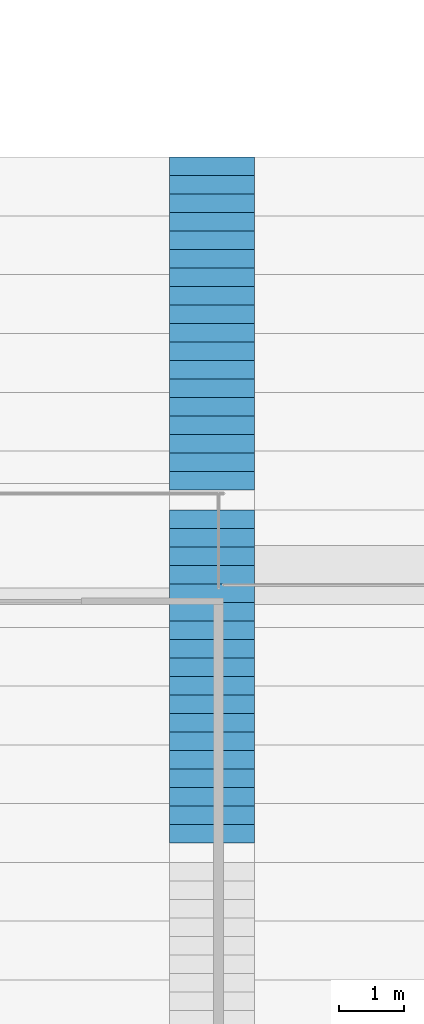
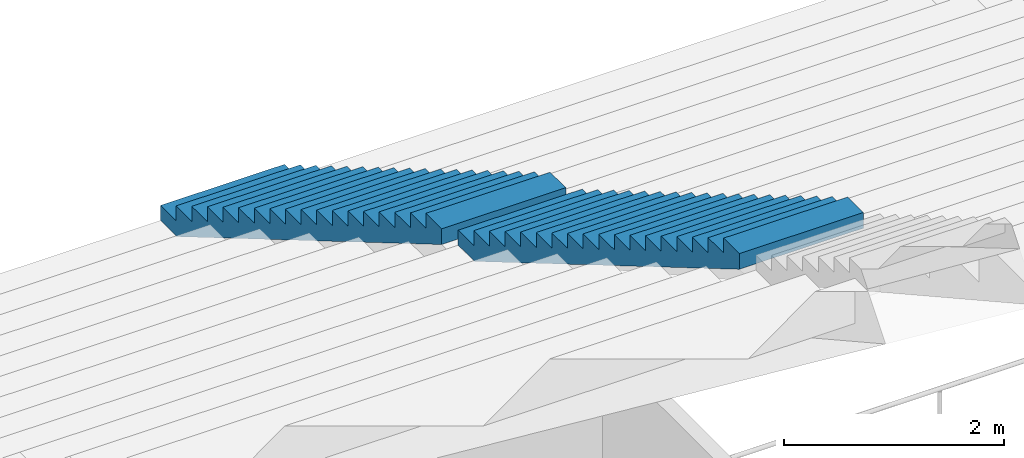
# One storey, part 155 of 249: 2 stair flights, 1 element without a shape of its own.
"""IFC4 building model written with IfcOpenShell, lengths in metres."""

from ifc_helpers import new_model, si_unit, direction, frame, origin, place, context, subcontext, project, spatial, faceted_brep, material, type_object, element, aggregate, save


model = new_model("IFC4")

# Units and contexts
model_context = context("Model", 3, precision=1e-05, world=origin(), true_north=direction((0.0, 1.0)))
body_context = subcontext(model_context, "Body", "Model", "MODEL_VIEW")
ifc_project = project(units=[si_unit("LENGTHUNIT", "METRE"), si_unit("AREAUNIT", "SQUARE_METRE"), si_unit("VOLUMEUNIT", "CUBIC_METRE"), si_unit("PLANEANGLEUNIT", "RADIAN"), si_unit("MASSUNIT", "GRAM", prefix="KILO")], contexts=[model_context])

# Site, building, storey
site_placement = place(None, origin())
site = spatial("IfcSite", under=ifc_project, at=site_placement, CompositionType="ELEMENT")
building_placement = place(site_placement, origin())
building = spatial("IfcBuilding", under=site, at=building_placement, Name="Ogive Plaza Stadium", CompositionType="ELEMENT")
storey_placement = place(building_placement, frame((0.0, 0.0, 13.5)))
storey = spatial("IfcBuildingStorey", under=building, at=storey_placement, Name="L03", CompositionType="ELEMENT", Elevation=13.5)

# Stair, stair flights
ifc_material_1 = material(Name="Concrete C40/50", Category="concrete")
stair_type = type_object("IfcStairType", Name="Aisle stair", PredefinedType="STRAIGHT_RUN_STAIR", material=ifc_material_1)
stair_placement = place(storey_placement, origin())
stair = element("IfcStair", 1, at=stair_placement, inside=storey, type_object=stair_type, Name="Aisle stair SA13U", PredefinedType="STRAIGHT_RUN_STAIR")
ifc_material_2 = material(Name="Concrete C40/50", Category="concrete")
stair_flight_type = type_object("IfcStairFlightType", Name="Aisle stair flight", PredefinedType="STRAIGHT", material=ifc_material_2)
stair_flight_1_placement = place(storey_placement, frame((13.60009765625, -74.0, 0.5), z_axis=(0.0, 0.0, 1.0), x_axis=(0.0, -1.0, 0.0)))
stair_flight_1 = element("IfcStairFlight", 2, at=stair_flight_1_placement, type_object=stair_flight_type, Name="SA13U flight 1", NumberOfRisers=18, NumberOfTreads=17, PredefinedType="STRAIGHT", RiserHeight=0.166666667, TreadLength=0.283333333, context=body_context, shape_type="Brep", body=[
    faceted_brep([(0.295654296875, -0.64990234375, 0.0), (5.10009765625, -0.64990234375, 2.826171875), (5.10009765625, -0.64990234375, 3.0), (4.816650390625, -0.64990234375, 3.0), (4.816650390625, -0.64990234375, 2.833251953125), (4.533447265625, -0.64990234375, 2.833251953125), (4.533447265625, -0.64990234375, 2.666748046875), (4.25, -0.64990234375, 2.666748046875), (4.25, -0.64990234375, 2.5), (3.966552734375, -0.64990234375, 2.5), (3.966552734375, -0.64990234375, 2.333251953125), (3.683349609375, -0.64990234375, 2.333251953125), (3.683349609375, -0.64990234375, 2.166748046875), (3.39990234375, -0.64990234375, 2.166748046875), (3.39990234375, -0.64990234375, 2.0), (3.11669921875, -0.64990234375, 2.0), (3.11669921875, -0.64990234375, 1.833251953125), (2.833251953125, -0.64990234375, 1.833251953125), (2.833251953125, -0.64990234375, 1.666748046875), (2.550048828125, -0.64990234375, 1.666748046875), (2.550048828125, -0.64990234375, 1.5), (2.2666015625, -0.64990234375, 1.5), (2.2666015625, -0.64990234375, 1.333251953125), (1.9833984375, -0.64990234375, 1.333251953125), (1.9833984375, -0.64990234375, 1.166748046875), (1.699951171875, -0.64990234375, 1.166748046875), (1.699951171875, -0.64990234375, 1.0), (1.416748046875, -0.64990234375, 1.0), (1.416748046875, -0.64990234375, 0.833251953125), (1.13330078125, -0.64990234375, 0.833251953125), (1.13330078125, -0.64990234375, 0.666748046875), (0.85009765625, -0.64990234375, 0.666748046875), (0.85009765625, -0.64990234375, 0.5), (0.566650390625, -0.64990234375, 0.5), (0.566650390625, -0.64990234375, 0.333251953125), (0.283447265625, -0.64990234375, 0.333251953125), (0.283447265625, -0.64990234375, 0.166748046875), (0.0, -0.64990234375, 0.166748046875), (0.0, -0.64990234375, 0.0), (0.0, 0.64990234375, 0.0), (0.0, 0.64990234375, 0.166748046875), (0.283447265625, 0.64990234375, 0.166748046875), (0.283447265625, 0.64990234375, 0.333251953125), (0.566650390625, 0.64990234375, 0.333251953125), (0.566650390625, 0.64990234375, 0.5), (0.85009765625, 0.64990234375, 0.5), (0.85009765625, 0.64990234375, 0.666748046875), (1.13330078125, 0.64990234375, 0.666748046875), (1.13330078125, 0.64990234375, 0.833251953125), (1.416748046875, 0.64990234375, 0.833251953125), (1.416748046875, 0.64990234375, 1.0), (1.699951171875, 0.64990234375, 1.0), (1.699951171875, 0.64990234375, 1.166748046875), (1.9833984375, 0.64990234375, 1.166748046875), (1.9833984375, 0.64990234375, 1.333251953125), (2.2666015625, 0.64990234375, 1.333251953125), (2.2666015625, 0.64990234375, 1.5), (2.550048828125, 0.64990234375, 1.5), (2.550048828125, 0.64990234375, 1.666748046875), (2.833251953125, 0.64990234375, 1.666748046875), (2.833251953125, 0.64990234375, 1.833251953125), (3.11669921875, 0.64990234375, 1.833251953125), (3.11669921875, 0.64990234375, 2.0), (3.39990234375, 0.64990234375, 2.0), (3.39990234375, 0.64990234375, 2.166748046875), (3.683349609375, 0.64990234375, 2.166748046875), (3.683349609375, 0.64990234375, 2.333251953125), (3.966552734375, 0.64990234375, 2.333251953125), (3.966552734375, 0.64990234375, 2.5), (4.25, 0.64990234375, 2.5), (4.25, 0.64990234375, 2.666748046875), (4.533447265625, 0.64990234375, 2.666748046875), (4.533447265625, 0.64990234375, 2.833251953125), (4.816650390625, 0.64990234375, 2.833251953125), (4.816650390625, 0.64990234375, 3.0), (5.10009765625, 0.64990234375, 3.0), (5.10009765625, 0.64990234375, 2.826171875), (0.295654296875, 0.64990234375, 0.0), (0.295654296875, -0.324951171875, 0.0), (5.10009765625, -0.324951171875, 2.826171875), (0.295654296875, 0.0, 0.0), (5.10009765625, 0.0, 2.826171875), (0.295654296875, 0.324951171875, 0.0), (5.10009765625, 0.324951171875, 2.826171875), (5.10009765625, -0.324951171875, 3.0), (5.10009765625, 0.0, 3.0), (5.10009765625, 0.324951171875, 3.0), (4.816650390625, -0.324951171875, 3.0), (4.816650390625, 0.0, 3.0), (4.816650390625, 0.324951171875, 3.0), (4.816650390625, -0.324951171875, 2.833251953125), (4.816650390625, 0.0, 2.833251953125), (4.816650390625, 0.324951171875, 2.833251953125), (4.533447265625, -0.324951171875, 2.833251953125), (4.533447265625, 0.0, 2.833251953125), (4.533447265625, 0.324951171875, 2.833251953125), (4.533447265625, -0.324951171875, 2.666748046875), (4.533447265625, 0.0, 2.666748046875), (4.533447265625, 0.324951171875, 2.666748046875), (4.25, -0.324951171875, 2.666748046875), (4.25, 0.0, 2.666748046875), (4.25, 0.324951171875, 2.666748046875), (4.25, -0.324951171875, 2.5), (4.25, 0.0, 2.5), (4.25, 0.324951171875, 2.5), (3.966552734375, -0.324951171875, 2.5), (3.966552734375, 0.0, 2.5), (3.966552734375, 0.324951171875, 2.5), (3.966552734375, -0.324951171875, 2.333251953125), (3.966552734375, 0.0, 2.333251953125), (3.966552734375, 0.324951171875, 2.333251953125), (3.683349609375, -0.324951171875, 2.333251953125), (3.683349609375, 0.0, 2.333251953125), (3.683349609375, 0.324951171875, 2.333251953125), (3.683349609375, -0.324951171875, 2.166748046875), (3.683349609375, 0.0, 2.166748046875), (3.683349609375, 0.324951171875, 2.166748046875), (3.39990234375, -0.324951171875, 2.166748046875), (3.39990234375, 0.0, 2.166748046875), (3.39990234375, 0.324951171875, 2.166748046875), (3.39990234375, -0.324951171875, 2.0), (3.39990234375, 0.0, 2.0), (3.39990234375, 0.324951171875, 2.0), (3.11669921875, -0.324951171875, 2.0), (3.11669921875, 0.0, 2.0), (3.11669921875, 0.324951171875, 2.0), (3.11669921875, -0.324951171875, 1.833251953125), (3.11669921875, 0.0, 1.833251953125), (3.11669921875, 0.324951171875, 1.833251953125), (2.833251953125, -0.324951171875, 1.833251953125), (2.833251953125, 0.0, 1.833251953125), (2.833251953125, 0.324951171875, 1.833251953125), (2.833251953125, -0.324951171875, 1.666748046875), (2.833251953125, 0.0, 1.666748046875), (2.833251953125, 0.324951171875, 1.666748046875), (2.550048828125, -0.324951171875, 1.666748046875), (2.550048828125, 0.0, 1.666748046875), (2.550048828125, 0.324951171875, 1.666748046875), (2.550048828125, -0.324951171875, 1.5), (2.550048828125, 0.0, 1.5), (2.550048828125, 0.324951171875, 1.5), (2.2666015625, -0.324951171875, 1.5), (2.2666015625, 0.0, 1.5), (2.2666015625, 0.324951171875, 1.5), (2.2666015625, -0.324951171875, 1.333251953125), (2.2666015625, 0.0, 1.333251953125), (2.2666015625, 0.324951171875, 1.333251953125), (1.9833984375, -0.324951171875, 1.333251953125), (1.9833984375, 0.0, 1.333251953125), (1.9833984375, 0.324951171875, 1.333251953125), (1.9833984375, -0.324951171875, 1.166748046875), (1.9833984375, 0.0, 1.166748046875), (1.9833984375, 0.324951171875, 1.166748046875), (1.699951171875, -0.324951171875, 1.166748046875), (1.699951171875, 0.0, 1.166748046875), (1.699951171875, 0.324951171875, 1.166748046875), (1.699951171875, -0.324951171875, 1.0), (1.699951171875, 0.0, 1.0), (1.699951171875, 0.324951171875, 1.0), (1.416748046875, -0.324951171875, 1.0), (1.416748046875, 0.0, 1.0), (1.416748046875, 0.324951171875, 1.0), (1.416748046875, -0.324951171875, 0.833251953125), (1.416748046875, 0.0, 0.833251953125), (1.416748046875, 0.324951171875, 0.833251953125), (1.13330078125, -0.324951171875, 0.833251953125), (1.13330078125, 0.0, 0.833251953125), (1.13330078125, 0.324951171875, 0.833251953125), (1.13330078125, -0.324951171875, 0.666748046875), (1.13330078125, 0.0, 0.666748046875), (1.13330078125, 0.324951171875, 0.666748046875), (0.85009765625, -0.324951171875, 0.666748046875), (0.85009765625, 0.0, 0.666748046875), (0.85009765625, 0.324951171875, 0.666748046875), (0.85009765625, -0.324951171875, 0.5), (0.85009765625, 0.0, 0.5), (0.85009765625, 0.324951171875, 0.5), (0.566650390625, -0.324951171875, 0.5), (0.566650390625, 0.0, 0.5), (0.566650390625, 0.324951171875, 0.5), (0.566650390625, -0.324951171875, 0.333251953125), (0.566650390625, 0.0, 0.333251953125), (0.566650390625, 0.324951171875, 0.333251953125), (0.283447265625, -0.324951171875, 0.333251953125), (0.283447265625, 0.0, 0.333251953125), (0.283447265625, 0.324951171875, 0.333251953125), (0.283447265625, -0.324951171875, 0.166748046875), (0.283447265625, 0.0, 0.166748046875), (0.283447265625, 0.324951171875, 0.166748046875), (0.0, -0.324951171875, 0.166748046875), (0.0, 0.0, 0.166748046875), (0.0, 0.324951171875, 0.166748046875), (0.0, -0.324951171875, 0.0), (0.0, 0.0, 0.0), (0.0, 0.324951171875, 0.0)], [[[0, 1, 2, 3, 4, 5, 6, 7, 8, 9, 10, 11, 12, 13, 14, 15, 16, 17, 18, 19, 20, 21, 22, 23, 24, 25, 26, 27, 28, 29, 30, 31, 32, 33, 34, 35, 36, 37, 38]], [[39, 40, 41, 42, 43, 44, 45, 46, 47, 48, 49, 50, 51, 52, 53, 54, 55, 56, 57, 58, 59, 60, 61, 62, 63, 64, 65, 66, 67, 68, 69, 70, 71, 72, 73, 74, 75, 76, 77]], [[0, 78, 79, 1]], [[78, 80, 81, 79]], [[80, 82, 83, 81]], [[82, 77, 76, 83]], [[1, 79, 84, 2]], [[79, 81, 85, 84]], [[81, 83, 86, 85]], [[83, 76, 75, 86]], [[2, 84, 87, 3]], [[84, 85, 88, 87]], [[85, 86, 89, 88]], [[86, 75, 74, 89]], [[3, 87, 90, 4]], [[87, 88, 91, 90]], [[88, 89, 92, 91]], [[89, 74, 73, 92]], [[4, 90, 93, 5]], [[90, 91, 94, 93]], [[91, 92, 95, 94]], [[92, 73, 72, 95]], [[5, 93, 96, 6]], [[93, 94, 97, 96]], [[94, 95, 98, 97]], [[95, 72, 71, 98]], [[6, 96, 99, 7]], [[96, 97, 100, 99]], [[97, 98, 101, 100]], [[98, 71, 70, 101]], [[7, 99, 102, 8]], [[99, 100, 103, 102]], [[100, 101, 104, 103]], [[101, 70, 69, 104]], [[8, 102, 105, 9]], [[102, 103, 106, 105]], [[103, 104, 107, 106]], [[104, 69, 68, 107]], [[9, 105, 108, 10]], [[105, 106, 109, 108]], [[106, 107, 110, 109]], [[107, 68, 67, 110]], [[10, 108, 111, 11]], [[108, 109, 112, 111]], [[109, 110, 113, 112]], [[110, 67, 66, 113]], [[11, 111, 114, 12]], [[111, 112, 115, 114]], [[112, 113, 116, 115]], [[113, 66, 65, 116]], [[12, 114, 117, 13]], [[114, 115, 118, 117]], [[115, 116, 119, 118]], [[116, 65, 64, 119]], [[13, 117, 120, 14]], [[117, 118, 121, 120]], [[118, 119, 122, 121]], [[119, 64, 63, 122]], [[14, 120, 123, 15]], [[120, 121, 124, 123]], [[121, 122, 125, 124]], [[122, 63, 62, 125]], [[15, 123, 126, 16]], [[123, 124, 127, 126]], [[124, 125, 128, 127]], [[125, 62, 61, 128]], [[16, 126, 129, 17]], [[126, 127, 130, 129]], [[127, 128, 131, 130]], [[128, 61, 60, 131]], [[17, 129, 132, 18]], [[129, 130, 133, 132]], [[130, 131, 134, 133]], [[131, 60, 59, 134]], [[18, 132, 135, 19]], [[132, 133, 136, 135]], [[133, 134, 137, 136]], [[134, 59, 58, 137]], [[19, 135, 138, 20]], [[135, 136, 139, 138]], [[136, 137, 140, 139]], [[137, 58, 57, 140]], [[20, 138, 141, 21]], [[138, 139, 142, 141]], [[139, 140, 143, 142]], [[140, 57, 56, 143]], [[21, 141, 144, 22]], [[141, 142, 145, 144]], [[142, 143, 146, 145]], [[143, 56, 55, 146]], [[22, 144, 147, 23]], [[144, 145, 148, 147]], [[145, 146, 149, 148]], [[146, 55, 54, 149]], [[23, 147, 150, 24]], [[147, 148, 151, 150]], [[148, 149, 152, 151]], [[149, 54, 53, 152]], [[24, 150, 153, 25]], [[150, 151, 154, 153]], [[151, 152, 155, 154]], [[152, 53, 52, 155]], [[25, 153, 156, 26]], [[153, 154, 157, 156]], [[154, 155, 158, 157]], [[155, 52, 51, 158]], [[26, 156, 159, 27]], [[156, 157, 160, 159]], [[157, 158, 161, 160]], [[158, 51, 50, 161]], [[27, 159, 162, 28]], [[159, 160, 163, 162]], [[160, 161, 164, 163]], [[161, 50, 49, 164]], [[28, 162, 165, 29]], [[162, 163, 166, 165]], [[163, 164, 167, 166]], [[164, 49, 48, 167]], [[29, 165, 168, 30]], [[165, 166, 169, 168]], [[166, 167, 170, 169]], [[167, 48, 47, 170]], [[30, 168, 171, 31]], [[168, 169, 172, 171]], [[169, 170, 173, 172]], [[170, 47, 46, 173]], [[31, 171, 174, 32]], [[171, 172, 175, 174]], [[172, 173, 176, 175]], [[173, 46, 45, 176]], [[32, 174, 177, 33]], [[174, 175, 178, 177]], [[175, 176, 179, 178]], [[176, 45, 44, 179]], [[33, 177, 180, 34]], [[177, 178, 181, 180]], [[178, 179, 182, 181]], [[179, 44, 43, 182]], [[34, 180, 183, 35]], [[180, 181, 184, 183]], [[181, 182, 185, 184]], [[182, 43, 42, 185]], [[35, 183, 186, 36]], [[183, 184, 187, 186]], [[184, 185, 188, 187]], [[185, 42, 41, 188]], [[36, 186, 189, 37]], [[186, 187, 190, 189]], [[187, 188, 191, 190]], [[188, 41, 40, 191]], [[37, 189, 192, 38]], [[189, 190, 193, 192]], [[190, 191, 194, 193]], [[191, 40, 39, 194]], [[38, 192, 78, 0]], [[192, 193, 80, 78]], [[193, 194, 82, 80]], [[194, 39, 77, 82]]]),
])
stair_flight_2_placement = place(storey_placement, frame((13.60009765625, -79.39990234375, 3.5), z_axis=(0.0, 0.0, 1.0), x_axis=(0.0, -1.0, 0.0)))
stair_flight_2 = element("IfcStairFlight", 3, at=stair_flight_2_placement, type_object=stair_flight_type, Name="SA13U flight 2", NumberOfRisers=18, NumberOfTreads=17, PredefinedType="STRAIGHT", RiserHeight=0.166666667, TreadLength=0.283333333, context=body_context, shape_type="Brep", body=[
    faceted_brep([(0.295654296875, -0.64990234375, 0.0), (5.10009765625, -0.64990234375, 2.826171875), (5.10009765625, -0.64990234375, 3.0), (4.816650390625, -0.64990234375, 3.0), (4.816650390625, -0.64990234375, 2.833251953125), (4.533447265625, -0.64990234375, 2.833251953125), (4.533447265625, -0.64990234375, 2.666748046875), (4.25, -0.64990234375, 2.666748046875), (4.25, -0.64990234375, 2.5), (3.966552734375, -0.64990234375, 2.5), (3.966552734375, -0.64990234375, 2.333251953125), (3.683349609375, -0.64990234375, 2.333251953125), (3.683349609375, -0.64990234375, 2.166748046875), (3.39990234375, -0.64990234375, 2.166748046875), (3.39990234375, -0.64990234375, 2.0), (3.11669921875, -0.64990234375, 2.0), (3.11669921875, -0.64990234375, 1.833251953125), (2.833251953125, -0.64990234375, 1.833251953125), (2.833251953125, -0.64990234375, 1.666748046875), (2.550048828125, -0.64990234375, 1.666748046875), (2.550048828125, -0.64990234375, 1.5), (2.2666015625, -0.64990234375, 1.5), (2.2666015625, -0.64990234375, 1.333251953125), (1.9833984375, -0.64990234375, 1.333251953125), (1.9833984375, -0.64990234375, 1.166748046875), (1.699951171875, -0.64990234375, 1.166748046875), (1.699951171875, -0.64990234375, 1.0), (1.416748046875, -0.64990234375, 1.0), (1.416748046875, -0.64990234375, 0.833251953125), (1.13330078125, -0.64990234375, 0.833251953125), (1.13330078125, -0.64990234375, 0.666748046875), (0.85009765625, -0.64990234375, 0.666748046875), (0.85009765625, -0.64990234375, 0.5), (0.566650390625, -0.64990234375, 0.5), (0.566650390625, -0.64990234375, 0.333251953125), (0.283447265625, -0.64990234375, 0.333251953125), (0.283447265625, -0.64990234375, 0.166748046875), (0.0, -0.64990234375, 0.166748046875), (0.0, -0.64990234375, 0.0), (0.0, 0.64990234375, 0.0), (0.0, 0.64990234375, 0.166748046875), (0.283447265625, 0.64990234375, 0.166748046875), (0.283447265625, 0.64990234375, 0.333251953125), (0.566650390625, 0.64990234375, 0.333251953125), (0.566650390625, 0.64990234375, 0.5), (0.85009765625, 0.64990234375, 0.5), (0.85009765625, 0.64990234375, 0.666748046875), (1.13330078125, 0.64990234375, 0.666748046875), (1.13330078125, 0.64990234375, 0.833251953125), (1.416748046875, 0.64990234375, 0.833251953125), (1.416748046875, 0.64990234375, 1.0), (1.699951171875, 0.64990234375, 1.0), (1.699951171875, 0.64990234375, 1.166748046875), (1.9833984375, 0.64990234375, 1.166748046875), (1.9833984375, 0.64990234375, 1.333251953125), (2.2666015625, 0.64990234375, 1.333251953125), (2.2666015625, 0.64990234375, 1.5), (2.550048828125, 0.64990234375, 1.5), (2.550048828125, 0.64990234375, 1.666748046875), (2.833251953125, 0.64990234375, 1.666748046875), (2.833251953125, 0.64990234375, 1.833251953125), (3.11669921875, 0.64990234375, 1.833251953125), (3.11669921875, 0.64990234375, 2.0), (3.39990234375, 0.64990234375, 2.0), (3.39990234375, 0.64990234375, 2.166748046875), (3.683349609375, 0.64990234375, 2.166748046875), (3.683349609375, 0.64990234375, 2.333251953125), (3.966552734375, 0.64990234375, 2.333251953125), (3.966552734375, 0.64990234375, 2.5), (4.25, 0.64990234375, 2.5), (4.25, 0.64990234375, 2.666748046875), (4.533447265625, 0.64990234375, 2.666748046875), (4.533447265625, 0.64990234375, 2.833251953125), (4.816650390625, 0.64990234375, 2.833251953125), (4.816650390625, 0.64990234375, 3.0), (5.10009765625, 0.64990234375, 3.0), (5.10009765625, 0.64990234375, 2.826171875), (0.295654296875, 0.64990234375, 0.0), (0.295654296875, -0.324951171875, 0.0), (5.10009765625, -0.324951171875, 2.826171875), (0.295654296875, 0.0, 0.0), (5.10009765625, 0.0, 2.826171875), (0.295654296875, 0.324951171875, 0.0), (5.10009765625, 0.324951171875, 2.826171875), (5.10009765625, -0.324951171875, 3.0), (5.10009765625, 0.0, 3.0), (5.10009765625, 0.324951171875, 3.0), (4.816650390625, -0.324951171875, 3.0), (4.816650390625, 0.0, 3.0), (4.816650390625, 0.324951171875, 3.0), (4.816650390625, -0.324951171875, 2.833251953125), (4.816650390625, 0.0, 2.833251953125), (4.816650390625, 0.324951171875, 2.833251953125), (4.533447265625, -0.324951171875, 2.833251953125), (4.533447265625, 0.0, 2.833251953125), (4.533447265625, 0.324951171875, 2.833251953125), (4.533447265625, -0.324951171875, 2.666748046875), (4.533447265625, 0.0, 2.666748046875), (4.533447265625, 0.324951171875, 2.666748046875), (4.25, -0.324951171875, 2.666748046875), (4.25, 0.0, 2.666748046875), (4.25, 0.324951171875, 2.666748046875), (4.25, -0.324951171875, 2.5), (4.25, 0.0, 2.5), (4.25, 0.324951171875, 2.5), (3.966552734375, -0.324951171875, 2.5), (3.966552734375, 0.0, 2.5), (3.966552734375, 0.324951171875, 2.5), (3.966552734375, -0.324951171875, 2.333251953125), (3.966552734375, 0.0, 2.333251953125), (3.966552734375, 0.324951171875, 2.333251953125), (3.683349609375, -0.324951171875, 2.333251953125), (3.683349609375, 0.0, 2.333251953125), (3.683349609375, 0.324951171875, 2.333251953125), (3.683349609375, -0.324951171875, 2.166748046875), (3.683349609375, 0.0, 2.166748046875), (3.683349609375, 0.324951171875, 2.166748046875), (3.39990234375, -0.324951171875, 2.166748046875), (3.39990234375, 0.0, 2.166748046875), (3.39990234375, 0.324951171875, 2.166748046875), (3.39990234375, -0.324951171875, 2.0), (3.39990234375, 0.0, 2.0), (3.39990234375, 0.324951171875, 2.0), (3.11669921875, -0.324951171875, 2.0), (3.11669921875, 0.0, 2.0), (3.11669921875, 0.324951171875, 2.0), (3.11669921875, -0.324951171875, 1.833251953125), (3.11669921875, 0.0, 1.833251953125), (3.11669921875, 0.324951171875, 1.833251953125), (2.833251953125, -0.324951171875, 1.833251953125), (2.833251953125, 0.0, 1.833251953125), (2.833251953125, 0.324951171875, 1.833251953125), (2.833251953125, -0.324951171875, 1.666748046875), (2.833251953125, 0.0, 1.666748046875), (2.833251953125, 0.324951171875, 1.666748046875), (2.550048828125, -0.324951171875, 1.666748046875), (2.550048828125, 0.0, 1.666748046875), (2.550048828125, 0.324951171875, 1.666748046875), (2.550048828125, -0.324951171875, 1.5), (2.550048828125, 0.0, 1.5), (2.550048828125, 0.324951171875, 1.5), (2.2666015625, -0.324951171875, 1.5), (2.2666015625, 0.0, 1.5), (2.2666015625, 0.324951171875, 1.5), (2.2666015625, -0.324951171875, 1.333251953125), (2.2666015625, 0.0, 1.333251953125), (2.2666015625, 0.324951171875, 1.333251953125), (1.9833984375, -0.324951171875, 1.333251953125), (1.9833984375, 0.0, 1.333251953125), (1.9833984375, 0.324951171875, 1.333251953125), (1.9833984375, -0.324951171875, 1.166748046875), (1.9833984375, 0.0, 1.166748046875), (1.9833984375, 0.324951171875, 1.166748046875), (1.699951171875, -0.324951171875, 1.166748046875), (1.699951171875, 0.0, 1.166748046875), (1.699951171875, 0.324951171875, 1.166748046875), (1.699951171875, -0.324951171875, 1.0), (1.699951171875, 0.0, 1.0), (1.699951171875, 0.324951171875, 1.0), (1.416748046875, -0.324951171875, 1.0), (1.416748046875, 0.0, 1.0), (1.416748046875, 0.324951171875, 1.0), (1.416748046875, -0.324951171875, 0.833251953125), (1.416748046875, 0.0, 0.833251953125), (1.416748046875, 0.324951171875, 0.833251953125), (1.13330078125, -0.324951171875, 0.833251953125), (1.13330078125, 0.0, 0.833251953125), (1.13330078125, 0.324951171875, 0.833251953125), (1.13330078125, -0.324951171875, 0.666748046875), (1.13330078125, 0.0, 0.666748046875), (1.13330078125, 0.324951171875, 0.666748046875), (0.85009765625, -0.324951171875, 0.666748046875), (0.85009765625, 0.0, 0.666748046875), (0.85009765625, 0.324951171875, 0.666748046875), (0.85009765625, -0.324951171875, 0.5), (0.85009765625, 0.0, 0.5), (0.85009765625, 0.324951171875, 0.5), (0.566650390625, -0.324951171875, 0.5), (0.566650390625, 0.0, 0.5), (0.566650390625, 0.324951171875, 0.5), (0.566650390625, -0.324951171875, 0.333251953125), (0.566650390625, 0.0, 0.333251953125), (0.566650390625, 0.324951171875, 0.333251953125), (0.283447265625, -0.324951171875, 0.333251953125), (0.283447265625, 0.0, 0.333251953125), (0.283447265625, 0.324951171875, 0.333251953125), (0.283447265625, -0.324951171875, 0.166748046875), (0.283447265625, 0.0, 0.166748046875), (0.283447265625, 0.324951171875, 0.166748046875), (0.0, -0.324951171875, 0.166748046875), (0.0, 0.0, 0.166748046875), (0.0, 0.324951171875, 0.166748046875), (0.0, -0.324951171875, 0.0), (0.0, 0.0, 0.0), (0.0, 0.324951171875, 0.0)], [[[0, 1, 2, 3, 4, 5, 6, 7, 8, 9, 10, 11, 12, 13, 14, 15, 16, 17, 18, 19, 20, 21, 22, 23, 24, 25, 26, 27, 28, 29, 30, 31, 32, 33, 34, 35, 36, 37, 38]], [[39, 40, 41, 42, 43, 44, 45, 46, 47, 48, 49, 50, 51, 52, 53, 54, 55, 56, 57, 58, 59, 60, 61, 62, 63, 64, 65, 66, 67, 68, 69, 70, 71, 72, 73, 74, 75, 76, 77]], [[0, 78, 79, 1]], [[78, 80, 81, 79]], [[80, 82, 83, 81]], [[82, 77, 76, 83]], [[1, 79, 84, 2]], [[79, 81, 85, 84]], [[81, 83, 86, 85]], [[83, 76, 75, 86]], [[2, 84, 87, 3]], [[84, 85, 88, 87]], [[85, 86, 89, 88]], [[86, 75, 74, 89]], [[3, 87, 90, 4]], [[87, 88, 91, 90]], [[88, 89, 92, 91]], [[89, 74, 73, 92]], [[4, 90, 93, 5]], [[90, 91, 94, 93]], [[91, 92, 95, 94]], [[92, 73, 72, 95]], [[5, 93, 96, 6]], [[93, 94, 97, 96]], [[94, 95, 98, 97]], [[95, 72, 71, 98]], [[6, 96, 99, 7]], [[96, 97, 100, 99]], [[97, 98, 101, 100]], [[98, 71, 70, 101]], [[7, 99, 102, 8]], [[99, 100, 103, 102]], [[100, 101, 104, 103]], [[101, 70, 69, 104]], [[8, 102, 105, 9]], [[102, 103, 106, 105]], [[103, 104, 107, 106]], [[104, 69, 68, 107]], [[9, 105, 108, 10]], [[105, 106, 109, 108]], [[106, 107, 110, 109]], [[107, 68, 67, 110]], [[10, 108, 111, 11]], [[108, 109, 112, 111]], [[109, 110, 113, 112]], [[110, 67, 66, 113]], [[11, 111, 114, 12]], [[111, 112, 115, 114]], [[112, 113, 116, 115]], [[113, 66, 65, 116]], [[12, 114, 117, 13]], [[114, 115, 118, 117]], [[115, 116, 119, 118]], [[116, 65, 64, 119]], [[13, 117, 120, 14]], [[117, 118, 121, 120]], [[118, 119, 122, 121]], [[119, 64, 63, 122]], [[14, 120, 123, 15]], [[120, 121, 124, 123]], [[121, 122, 125, 124]], [[122, 63, 62, 125]], [[15, 123, 126, 16]], [[123, 124, 127, 126]], [[124, 125, 128, 127]], [[125, 62, 61, 128]], [[16, 126, 129, 17]], [[126, 127, 130, 129]], [[127, 128, 131, 130]], [[128, 61, 60, 131]], [[17, 129, 132, 18]], [[129, 130, 133, 132]], [[130, 131, 134, 133]], [[131, 60, 59, 134]], [[18, 132, 135, 19]], [[132, 133, 136, 135]], [[133, 134, 137, 136]], [[134, 59, 58, 137]], [[19, 135, 138, 20]], [[135, 136, 139, 138]], [[136, 137, 140, 139]], [[137, 58, 57, 140]], [[20, 138, 141, 21]], [[138, 139, 142, 141]], [[139, 140, 143, 142]], [[140, 57, 56, 143]], [[21, 141, 144, 22]], [[141, 142, 145, 144]], [[142, 143, 146, 145]], [[143, 56, 55, 146]], [[22, 144, 147, 23]], [[144, 145, 148, 147]], [[145, 146, 149, 148]], [[146, 55, 54, 149]], [[23, 147, 150, 24]], [[147, 148, 151, 150]], [[148, 149, 152, 151]], [[149, 54, 53, 152]], [[24, 150, 153, 25]], [[150, 151, 154, 153]], [[151, 152, 155, 154]], [[152, 53, 52, 155]], [[25, 153, 156, 26]], [[153, 154, 157, 156]], [[154, 155, 158, 157]], [[155, 52, 51, 158]], [[26, 156, 159, 27]], [[156, 157, 160, 159]], [[157, 158, 161, 160]], [[158, 51, 50, 161]], [[27, 159, 162, 28]], [[159, 160, 163, 162]], [[160, 161, 164, 163]], [[161, 50, 49, 164]], [[28, 162, 165, 29]], [[162, 163, 166, 165]], [[163, 164, 167, 166]], [[164, 49, 48, 167]], [[29, 165, 168, 30]], [[165, 166, 169, 168]], [[166, 167, 170, 169]], [[167, 48, 47, 170]], [[30, 168, 171, 31]], [[168, 169, 172, 171]], [[169, 170, 173, 172]], [[170, 47, 46, 173]], [[31, 171, 174, 32]], [[171, 172, 175, 174]], [[172, 173, 176, 175]], [[173, 46, 45, 176]], [[32, 174, 177, 33]], [[174, 175, 178, 177]], [[175, 176, 179, 178]], [[176, 45, 44, 179]], [[33, 177, 180, 34]], [[177, 178, 181, 180]], [[178, 179, 182, 181]], [[179, 44, 43, 182]], [[34, 180, 183, 35]], [[180, 181, 184, 183]], [[181, 182, 185, 184]], [[182, 43, 42, 185]], [[35, 183, 186, 36]], [[183, 184, 187, 186]], [[184, 185, 188, 187]], [[185, 42, 41, 188]], [[36, 186, 189, 37]], [[186, 187, 190, 189]], [[187, 188, 191, 190]], [[188, 41, 40, 191]], [[37, 189, 192, 38]], [[189, 190, 193, 192]], [[190, 191, 194, 193]], [[191, 40, 39, 194]], [[38, 192, 78, 0]], [[192, 193, 80, 78]], [[193, 194, 82, 80]], [[194, 39, 77, 82]]]),
])
aggregate(stair, [stair_flight_1, stair_flight_2])

save(model, "model.ifc")
